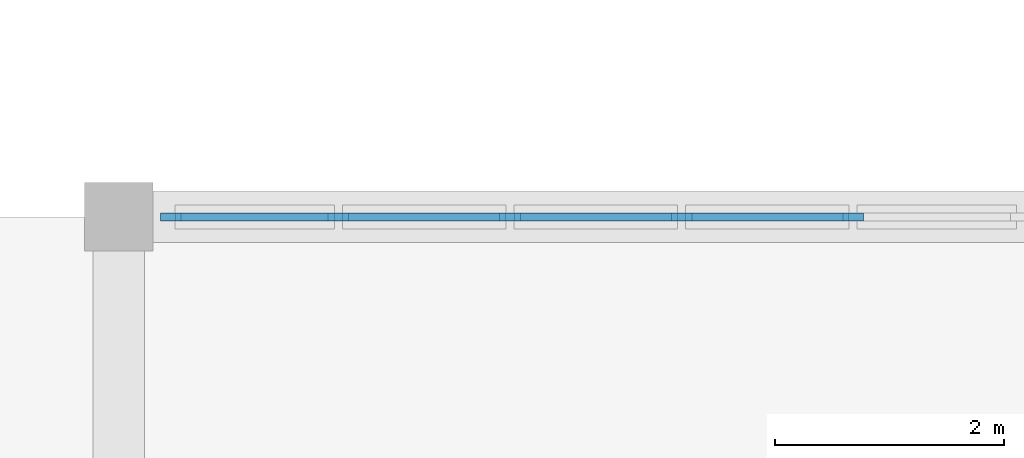
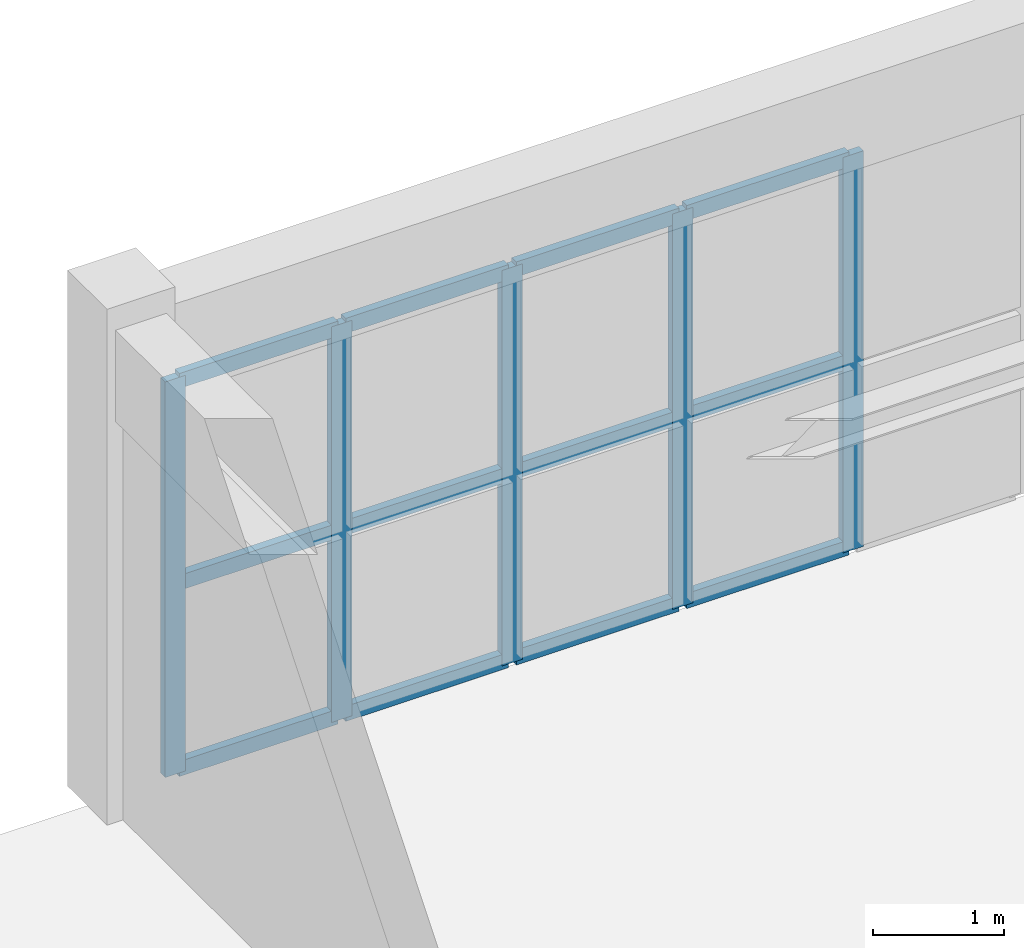
# One storey, part 23 of 76: 17 members, 1 element without a shape of its own.
"""IFC4 building model written with IfcOpenShell, lengths in metres."""

import ifcopenshell
import ifcopenshell.guid

model = None  # the IFC model being written
_history = None  # IfcOwnerHistory: only IFC2X3 demands one
_inside = {}  # id of a spatial element -> (the spatial element, [elements in it])
_under = {}  # id of a project, library or spatial element -> (it, [spatial elements below it])
_declared = {}  # id of a project -> (the project, [libraries it declares])
_typed = {}  # id of a type object -> (the type object, [elements of that type])
_made_of = {}  # id of a material, layer set ... -> (it, [elements and type objects made of it])


def new_model(schema):
    """Start an empty IFC model of exactly this schema.

    Asked for "IFC4X3", IfcOpenShell would pick the latest addendum, in which some entities
    have other attributes; the version numbers below select the first issue.
    IFC2X3 requires an IfcOwnerHistory on every rooted entity: one is made here for all.
    """
    global model, _history
    if schema == "IFC4X3":
        model = ifcopenshell.file(schema_version=(4, 3, 0, 0))
    else:
        model = ifcopenshell.file(schema=schema)
    _inside.clear()
    _under.clear()
    _declared.clear()
    _typed.clear()
    _made_of.clear()
    _history = None
    if model.schema == "IFC2X3":
        org = make("IfcOrganization", Name="unknown")
        user = make(
            "IfcPersonAndOrganization",
            ThePerson=make("IfcPerson", FamilyName="unknown"),
            TheOrganization=org,
        )
        app = make(
            "IfcApplication",
            ApplicationDeveloper=org,
            Version="unknown",
            ApplicationFullName="unknown",
            ApplicationIdentifier="unknown",
        )
        _history = make(
            "IfcOwnerHistory",
            OwningUser=user,
            OwningApplication=app,
            ChangeAction="ADDED",
            CreationDate=0,
        )
    return model


def make(cls, **values):
    """One entity of the class cls with the attributes given. An attribute that is None is left unset."""
    return model.create_entity(
        cls, **{name: value for name, value in values.items() if value is not None}
    )


def rooted(cls, **values):
    """An entity with a GlobalId (a new one), such as an element, a storey or a relation."""
    return make(cls, GlobalId=ifcopenshell.guid.new(), OwnerHistory=_history, **values)


def si_unit(unit_type, name, prefix=None):
    """IfcSIUnit, for example si_unit("LENGTHUNIT", "METRE", prefix="MILLI")."""
    return make("IfcSIUnit", UnitType=unit_type, Prefix=prefix, Name=name)


def assignment(units):
    """IfcUnitAssignment: the units of a project."""
    return None if units is None else make("IfcUnitAssignment", Units=units)


def point(xyz):
    """IfcCartesianPoint."""
    return None if xyz is None else make("IfcCartesianPoint", Coordinates=xyz)


def direction(xyz):
    """IfcDirection."""
    return None if xyz is None else make("IfcDirection", DirectionRatios=xyz)


def frame(location, z_axis=None, x_axis=None):
    """IfcAxis2Placement3D, a coordinate frame: its origin and axes. An axis left out is left unset."""
    return make(
        "IfcAxis2Placement3D",
        Location=point(location),
        Axis=direction(z_axis),
        RefDirection=direction(x_axis),
    )


def frame_2d(location, x_axis=None):
    """IfcAxis2Placement2D, a coordinate frame in the plane: its origin and x axis."""
    return make(
        "IfcAxis2Placement2D", Location=point(location), RefDirection=direction(x_axis)
    )


def origin():
    """The frame at (0, 0, 0) with its axes left unset."""
    return frame((0.0, 0.0, 0.0))


def origin_2d():
    """The frame at (0, 0) in the plane with its x axis left unset."""
    return frame_2d((0.0, 0.0))


def place(relative_to, where):
    """IfcLocalPlacement: puts the frame where relative to a parent placement (None: the world)."""
    return make(
        "IfcLocalPlacement", PlacementRelTo=relative_to, RelativePlacement=where
    )


def context(
    kind, dimensions, precision=None, world=None, true_north=None, identifier=None
):
    """IfcGeometricRepresentationContext, for example the 3D "Model" context."""
    return make(
        "IfcGeometricRepresentationContext",
        ContextIdentifier=identifier,
        ContextType=kind,
        CoordinateSpaceDimension=dimensions,
        Precision=precision,
        WorldCoordinateSystem=world,
        TrueNorth=true_north,
    )


def subcontext(parent, identifier, kind, view, scale=None):
    """IfcGeometricRepresentationSubContext, for example "Body" below "Model"."""
    return make(
        "IfcGeometricRepresentationSubContext",
        ContextIdentifier=identifier,
        ContextType=kind,
        ParentContext=parent,
        TargetScale=scale,
        TargetView=view,
    )


def project(units=None, contexts=None):
    """IfcProject with its units and contexts."""
    return rooted(
        "IfcProject",
        Name="project",
        RepresentationContexts=contexts,
        UnitsInContext=assignment(units),
    )


def spatial(cls, under=None, at=None, **own):
    """A site, building, storey or space (cls), placed at a placement, below another one or the project."""
    s = rooted(cls, ObjectPlacement=at, **own)
    if under is not None:
        _under.setdefault(under.id(), (under, []))[1].append(s)
    return s


def profile(cls, at=None, kind="AREA", **sizes):
    """A parametric profile (cls). Its sizes go by their IFC names, for example OverallWidth=200.0."""
    return make(cls, ProfileType=kind, Position=at, **sizes)


def rectangle(**sizes):
    """IfcRectangleProfileDef."""
    return profile("IfcRectangleProfileDef", **sizes)


def extrude(swept, where, along, depth):
    """IfcExtrudedAreaSolid: the profile swept, set in the frame where, extruded along a direction by depth."""
    return make(
        "IfcExtrudedAreaSolid",
        SweptArea=swept,
        Position=where,
        ExtrudedDirection=direction(along),
        Depth=depth,
    )


def shape(context_of_items, identifier, shape_type, items):
    """IfcShapeRepresentation: the items that make up one representation, for example the "Body"."""
    return make(
        "IfcShapeRepresentation",
        ContextOfItems=context_of_items,
        RepresentationIdentifier=identifier,
        RepresentationType=shape_type,
        Items=items,
    )


def material(Name=None, Category=None):
    """IfcMaterial."""
    return make("IfcMaterial", Name=Name, Category=Category)


def layer(
    of_material, thickness, ventilated=None, Name=None, Category=None, Priority=None
):
    """IfcMaterialLayer: one layer of a wall or slab, of a material (None: an air gap)."""
    return make(
        "IfcMaterialLayer",
        Material=of_material,
        LayerThickness=thickness,
        IsVentilated=ventilated,
        Name=Name,
        Category=Category,
        Priority=Priority,
    )


def layer_set(layers, Name=None):
    """IfcMaterialLayerSet."""
    return make("IfcMaterialLayerSet", MaterialLayers=layers, LayerSetName=Name)


def material_profile(
    of_material, cross_section, Name=None, Category=None, Priority=None
):
    """IfcMaterialProfile: a cross section and its material."""
    return make(
        "IfcMaterialProfile",
        Name=Name,
        Material=of_material,
        Profile=cross_section,
        Priority=Priority,
        Category=Category,
    )


def profile_set(profiles, Name=None, composite=None):
    """IfcMaterialProfileSet."""
    return make(
        "IfcMaterialProfileSet",
        Name=Name,
        MaterialProfiles=profiles,
        CompositeProfile=composite,
    )


def made_of(thing, what):
    """Note that an element or type object is made of a material, layer set ...; save() writes the relation."""
    if what is not None:
        _made_of.setdefault(what.id(), (what, []))[1].append(thing)
    return thing


def type_object(cls, material=None, **own):
    """A type object (cls), such as IfcWallType, which elements share."""
    return made_of(rooted(cls, **own), material)


def element(
    cls,
    number,
    at=None,
    inside=None,
    cuts=None,
    type_object=None,
    material=None,
    context=None,
    identifier="Body",
    shape_type=None,
    held_by="IfcProductDefinitionShape",
    body=None,
    shapes=None,
    **own,
):
    """One element of the class cls, such as IfcWall. Its Tag is "e" and its number.

    at: its placement. inside: the storey or other place that contains it. cuts: it is an
    opening in that element (IfcRelVoidsElement). A single representation is given by context,
    identifier, shape_type and body (its items); several are given by shapes. held_by: the class
    of the entity that holds the representations. save() writes the other relations.
    """
    e = rooted(cls, Tag="e%d" % number, ObjectPlacement=at, **own)
    if body is not None:
        shapes = [shape(context, identifier, shape_type, body)]
    if shapes is not None:
        e.Representation = make(held_by, Representations=shapes)
    if inside is not None:
        _inside.setdefault(inside.id(), (inside, []))[1].append(e)
    if cuts is not None:
        rooted(
            "IfcRelVoidsElement", RelatingBuildingElement=cuts, RelatedOpeningElement=e
        )
    if type_object is not None:
        _typed.setdefault(type_object.id(), (type_object, []))[1].append(e)
    return made_of(e, material)


def aggregate(whole, parts):
    """IfcRelAggregates: a whole, such as a stair, and the parts it consists of."""
    return rooted("IfcRelAggregates", RelatingObject=whole, RelatedObjects=parts)


def save(model, path):
    """Write the relations noted so far, then the file.

    IfcRelAggregates (storeys below a building ...), IfcRelContainedInSpatialStructure (elements
    in a storey), IfcRelDefinesByType, IfcRelAssociatesMaterial and IfcRelDeclares: one each for
    every whole, place, type object, material and project.
    """
    for whole, parts in _under.values():
        aggregate(whole, parts)
    for where, things in _inside.values():
        rooted(
            "IfcRelContainedInSpatialStructure",
            RelatedElements=things,
            RelatingStructure=where,
        )
    for kind, things in _typed.values():
        rooted("IfcRelDefinesByType", RelatedObjects=things, RelatingType=kind)
    for what, things in _made_of.values():
        rooted("IfcRelAssociatesMaterial", RelatedObjects=things, RelatingMaterial=what)
    for by, libraries in _declared.values():
        rooted("IfcRelDeclares", RelatingContext=by, RelatedDefinitions=libraries)
    model.write(path)


model = new_model("IFC4")

# Units and contexts
model_context = context("Model", 3, precision=1e-05, world=origin(), true_north=direction((0.0, 1.0)))
body_context = subcontext(model_context, "Body", "Model", "MODEL_VIEW")
ifc_project = project(units=[si_unit("LENGTHUNIT", "METRE"), si_unit("AREAUNIT", "SQUARE_METRE"), si_unit("VOLUMEUNIT", "CUBIC_METRE"), si_unit("PLANEANGLEUNIT", "RADIAN"), si_unit("MASSUNIT", "GRAM", prefix="KILO")], contexts=[model_context])

# Site, building, storey
site_placement = place(None, origin())
site = spatial("IfcSite", under=ifc_project, at=site_placement, CompositionType="ELEMENT")
building_placement = place(site_placement, origin())
building = spatial("IfcBuilding", under=site, at=building_placement, Name="Cinchona Park Media Centre", CompositionType="ELEMENT")
storey_placement = place(building_placement, frame((0.0, 0.0, 15.60009765625)))
storey = spatial("IfcBuildingStorey", under=building, at=storey_placement, Name="L03", CompositionType="ELEMENT", Elevation=15.60009765625)

# Curtain wall, members
ifc_material_1 = material(Name="Aluminium Curtain Wall Framing", Category="aluminium")
ifc_layer = layer(ifc_material_1, 0.284912109375)
ifc_layer_set = layer_set([ifc_layer], Name="Aluminium Curtain Wall Framing")
curtain_wall_type = type_object("IfcCurtainWallType", Name="CW-CW08", PredefinedType="USERDEFINED", material=ifc_layer_set)
curtain_wall_placement = place(storey_placement, origin())
curtain_wall = element("IfcCurtainWall", 1, at=curtain_wall_placement, inside=storey, type_object=curtain_wall_type, Name="Curtain Wall CW08 L03", ObjectType="UNITISED CURTAIN WALL", PredefinedType="USERDEFINED")
ifc_material_2 = material(Name="Anodised Aluminium Alloy 6063-T6", Category="aluminium")
ifc_material_profile_1 = material_profile(ifc_material_2, rectangle(XDim=0.070068359375, YDim=0.179931640625, at=origin_2d()), Name="MUL-70X180")
ifc_profile_set_1 = profile_set([ifc_material_profile_1], Name="Anodised Aluminium Alloy 6063-T6")
member_type_1 = type_object("IfcMemberType", Name="MULLION-MUL02", PredefinedType="MULLION", material=ifc_profile_set_1)
member_1_placement = place(storey_placement, frame((63.2548828125, 87.60009765625, 0.0498046875), z_axis=(0.0, 0.0, 1.0), x_axis=(0.0, 1.0, 0.0)))
member_1 = element("IfcMember", 2, at=member_1_placement, type_object=member_type_1, Name="CW08 mullion 1", PredefinedType="MULLION", context=body_context, shape_type="SweptSolid", body=[
    extrude(rectangle(XDim=0.070068359375, YDim=0.179931640625, at=origin_2d()), origin(), (0.0, 0.0, 1.0), 3.68017578125),
])
member_2_placement = place(storey_placement, frame((64.719970703125, 87.60009765625, 0.0498046875), z_axis=(0.0, 0.0, 1.0), x_axis=(0.0, 1.0, 0.0)))
member_2 = element("IfcMember", 3, at=member_2_placement, type_object=member_type_1, Name="CW08 mullion 2", PredefinedType="MULLION", context=body_context, shape_type="SweptSolid", body=[
    extrude(rectangle(XDim=0.070068359375, YDim=0.179931640625, at=origin_2d()), origin(), (0.0, 0.0, 1.0), 3.68017578125),
])
member_3_placement = place(storey_placement, frame((66.219970703125, 87.60009765625, 0.0498046875), z_axis=(0.0, 0.0, 1.0), x_axis=(0.0, 1.0, 0.0)))
member_3 = element("IfcMember", 4, at=member_3_placement, type_object=member_type_1, Name="CW08 mullion 3", PredefinedType="MULLION", context=body_context, shape_type="SweptSolid", body=[
    extrude(rectangle(XDim=0.070068359375, YDim=0.179931640625, at=origin_2d()), origin(), (0.0, 0.0, 1.0), 3.68017578125),
])
member_4_placement = place(storey_placement, frame((67.719970703125, 87.60009765625, 0.0498046875), z_axis=(0.0, 0.0, 1.0), x_axis=(0.0, 1.0, 0.0)))
member_4 = element("IfcMember", 5, at=member_4_placement, type_object=member_type_1, Name="CW08 mullion 4", PredefinedType="MULLION", context=body_context, shape_type="SweptSolid", body=[
    extrude(rectangle(XDim=0.070068359375, YDim=0.179931640625, at=origin_2d()), origin(), (0.0, 0.0, 1.0), 3.68017578125),
])
member_5_placement = place(storey_placement, frame((69.219970703125, 87.60009765625, 0.0498046875), z_axis=(0.0, 0.0, 1.0), x_axis=(0.0, 1.0, 0.0)))
member_5 = element("IfcMember", 6, at=member_5_placement, type_object=member_type_1, Name="CW08 mullion 5", PredefinedType="MULLION", context=body_context, shape_type="SweptSolid", body=[
    extrude(rectangle(XDim=0.070068359375, YDim=0.179931640625, at=origin_2d()), origin(), (0.0, 0.0, 1.0), 3.68017578125),
])
ifc_material_3 = material(Name="Anodised Aluminium Alloy 6063-T6", Category="aluminium")
ifc_material_profile_2 = material_profile(ifc_material_3, rectangle(XDim=0.070068359375, YDim=0.139892578125, at=origin_2d()), Name="TRN-70X140")
ifc_profile_set_2 = profile_set([ifc_material_profile_2], Name="Anodised Aluminium Alloy 6063-T6")
member_type_2 = type_object("IfcMemberType", Name="TRANSOM-TRN02", PredefinedType="USERDEFINED", material=ifc_profile_set_2)
member_6_placement = place(storey_placement, frame((63.2900390625, 87.60009765625, 0.0849609375), z_axis=(1.0, 0.0, 0.0), x_axis=(0.0, 1.0, 0.0)))
member_6 = element("IfcMember", 7, at=member_6_placement, type_object=member_type_2, Name="CW08 transom 1.1", ObjectType="TRANSOM", PredefinedType="USERDEFINED", context=body_context, shape_type="SweptSolid", body=[
    extrude(rectangle(XDim=0.070068359375, YDim=0.139892578125, at=origin_2d()), origin(), (0.0, 0.0, 1.0), 1.39501953125),
])
member_7_placement = place(storey_placement, frame((63.2900390625, 87.60009765625, 1.81591796875), z_axis=(1.0, 0.0, 0.0), x_axis=(0.0, 1.0, 0.0)))
member_7 = element("IfcMember", 8, at=member_7_placement, type_object=member_type_2, Name="CW08 transom 1.2", ObjectType="TRANSOM", PredefinedType="USERDEFINED", context=body_context, shape_type="SweptSolid", body=[
    extrude(rectangle(XDim=0.070068359375, YDim=0.139892578125, at=origin_2d()), origin(), (0.0, 0.0, 1.0), 1.39501953125),
])
member_8_placement = place(storey_placement, frame((63.2900390625, 87.60009765625, 3.69482421875), z_axis=(1.0, 0.0, 0.0), x_axis=(0.0, 1.0, 0.0)))
member_8 = element("IfcMember", 9, at=member_8_placement, type_object=member_type_2, Name="CW08 transom 1.3", ObjectType="TRANSOM", PredefinedType="USERDEFINED", context=body_context, shape_type="SweptSolid", body=[
    extrude(rectangle(XDim=0.070068359375, YDim=0.139892578125, at=origin_2d()), origin(), (0.0, 0.0, 1.0), 1.39501953125),
])
member_9_placement = place(storey_placement, frame((64.7548828125, 87.60009765625, 0.0849609375), z_axis=(1.0, 0.0, 0.0), x_axis=(0.0, 1.0, 0.0)))
member_9 = element("IfcMember", 10, at=member_9_placement, type_object=member_type_2, Name="CW08 transom 2.1", ObjectType="TRANSOM", PredefinedType="USERDEFINED", context=body_context, shape_type="SweptSolid", body=[
    extrude(rectangle(XDim=0.070068359375, YDim=0.139892578125, at=origin_2d()), origin(), (0.0, 0.0, 1.0), 1.43017578125),
])
member_10_placement = place(storey_placement, frame((64.7548828125, 87.60009765625, 1.81591796875), z_axis=(1.0, 0.0, 0.0), x_axis=(0.0, 1.0, 0.0)))
member_10 = element("IfcMember", 11, at=member_10_placement, type_object=member_type_2, Name="CW08 transom 2.2", ObjectType="TRANSOM", PredefinedType="USERDEFINED", context=body_context, shape_type="SweptSolid", body=[
    extrude(rectangle(XDim=0.070068359375, YDim=0.139892578125, at=origin_2d()), origin(), (0.0, 0.0, 1.0), 1.43017578125),
])
member_11_placement = place(storey_placement, frame((64.7548828125, 87.60009765625, 3.69482421875), z_axis=(1.0, 0.0, 0.0), x_axis=(0.0, 1.0, 0.0)))
member_11 = element("IfcMember", 12, at=member_11_placement, type_object=member_type_2, Name="CW08 transom 2.3", ObjectType="TRANSOM", PredefinedType="USERDEFINED", context=body_context, shape_type="SweptSolid", body=[
    extrude(rectangle(XDim=0.070068359375, YDim=0.139892578125, at=origin_2d()), origin(), (0.0, 0.0, 1.0), 1.43017578125),
])
member_12_placement = place(storey_placement, frame((66.2548828125, 87.60009765625, 0.0849609375), z_axis=(1.0, 0.0, 0.0), x_axis=(0.0, 1.0, 0.0)))
member_12 = element("IfcMember", 13, at=member_12_placement, type_object=member_type_2, Name="CW08 transom 3.1", ObjectType="TRANSOM", PredefinedType="USERDEFINED", context=body_context, shape_type="SweptSolid", body=[
    extrude(rectangle(XDim=0.070068359375, YDim=0.139892578125, at=origin_2d()), origin(), (0.0, 0.0, 1.0), 1.43017578125),
])
member_13_placement = place(storey_placement, frame((66.2548828125, 87.60009765625, 1.81591796875), z_axis=(1.0, 0.0, 0.0), x_axis=(0.0, 1.0, 0.0)))
member_13 = element("IfcMember", 14, at=member_13_placement, type_object=member_type_2, Name="CW08 transom 3.2", ObjectType="TRANSOM", PredefinedType="USERDEFINED", context=body_context, shape_type="SweptSolid", body=[
    extrude(rectangle(XDim=0.070068359375, YDim=0.139892578125, at=origin_2d()), origin(), (0.0, 0.0, 1.0), 1.43017578125),
])
member_14_placement = place(storey_placement, frame((66.2548828125, 87.60009765625, 3.69482421875), z_axis=(1.0, 0.0, 0.0), x_axis=(0.0, 1.0, 0.0)))
member_14 = element("IfcMember", 15, at=member_14_placement, type_object=member_type_2, Name="CW08 transom 3.3", ObjectType="TRANSOM", PredefinedType="USERDEFINED", context=body_context, shape_type="SweptSolid", body=[
    extrude(rectangle(XDim=0.070068359375, YDim=0.139892578125, at=origin_2d()), origin(), (0.0, 0.0, 1.0), 1.43017578125),
])
member_15_placement = place(storey_placement, frame((67.7548828125, 87.60009765625, 0.0849609375), z_axis=(1.0, 0.0, 0.0), x_axis=(0.0, 1.0, 0.0)))
member_15 = element("IfcMember", 16, at=member_15_placement, type_object=member_type_2, Name="CW08 transom 4.1", ObjectType="TRANSOM", PredefinedType="USERDEFINED", context=body_context, shape_type="SweptSolid", body=[
    extrude(rectangle(XDim=0.070068359375, YDim=0.139892578125, at=origin_2d()), origin(), (0.0, 0.0, 1.0), 1.43017578125),
])
member_16_placement = place(storey_placement, frame((67.7548828125, 87.60009765625, 1.81591796875), z_axis=(1.0, 0.0, 0.0), x_axis=(0.0, 1.0, 0.0)))
member_16 = element("IfcMember", 17, at=member_16_placement, type_object=member_type_2, Name="CW08 transom 4.2", ObjectType="TRANSOM", PredefinedType="USERDEFINED", context=body_context, shape_type="SweptSolid", body=[
    extrude(rectangle(XDim=0.070068359375, YDim=0.139892578125, at=origin_2d()), origin(), (0.0, 0.0, 1.0), 1.43017578125),
])
member_17_placement = place(storey_placement, frame((67.7548828125, 87.60009765625, 3.69482421875), z_axis=(1.0, 0.0, 0.0), x_axis=(0.0, 1.0, 0.0)))
member_17 = element("IfcMember", 18, at=member_17_placement, type_object=member_type_2, Name="CW08 transom 4.3", ObjectType="TRANSOM", PredefinedType="USERDEFINED", context=body_context, shape_type="SweptSolid", body=[
    extrude(rectangle(XDim=0.070068359375, YDim=0.139892578125, at=origin_2d()), origin(), (0.0, 0.0, 1.0), 1.43017578125),
])
aggregate(curtain_wall, [member_1, member_2, member_3, member_4, member_5, member_6, member_7, member_8, member_9, member_10, member_11, member_12, member_13, member_14, member_15, member_16, member_17])

save(model, "model.ifc")
